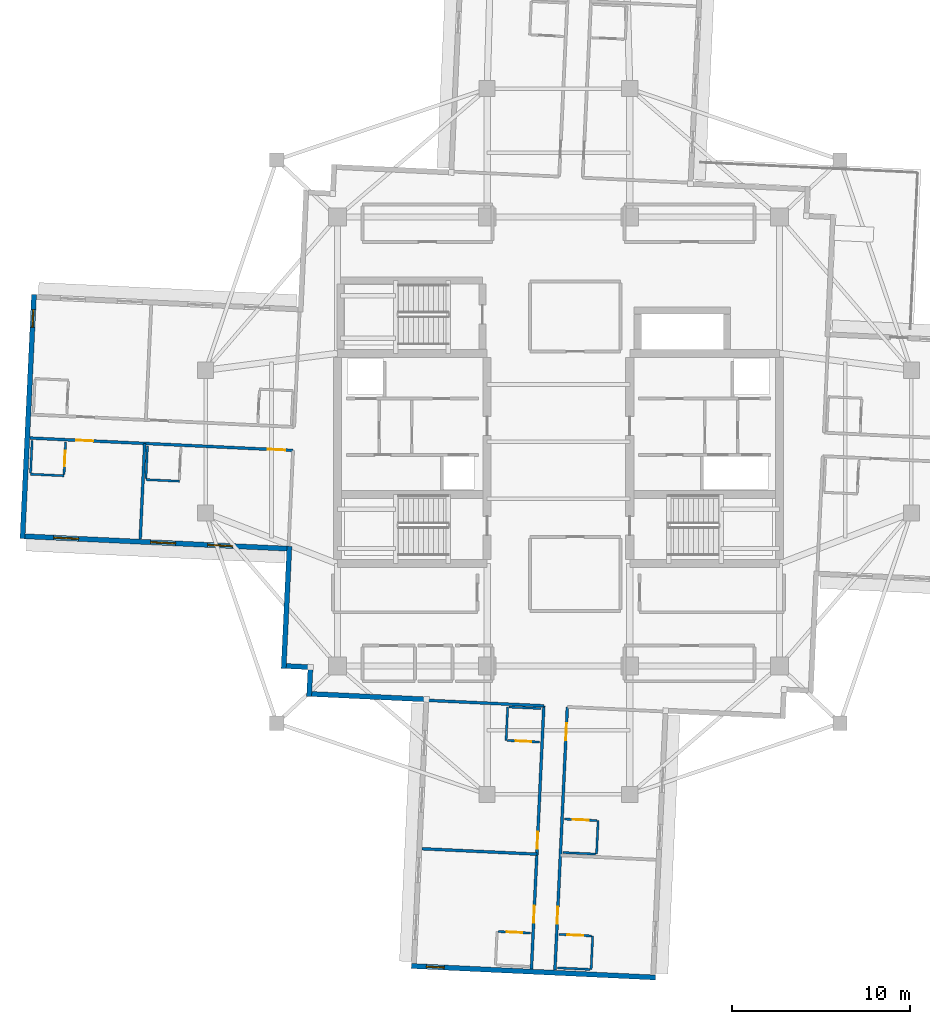
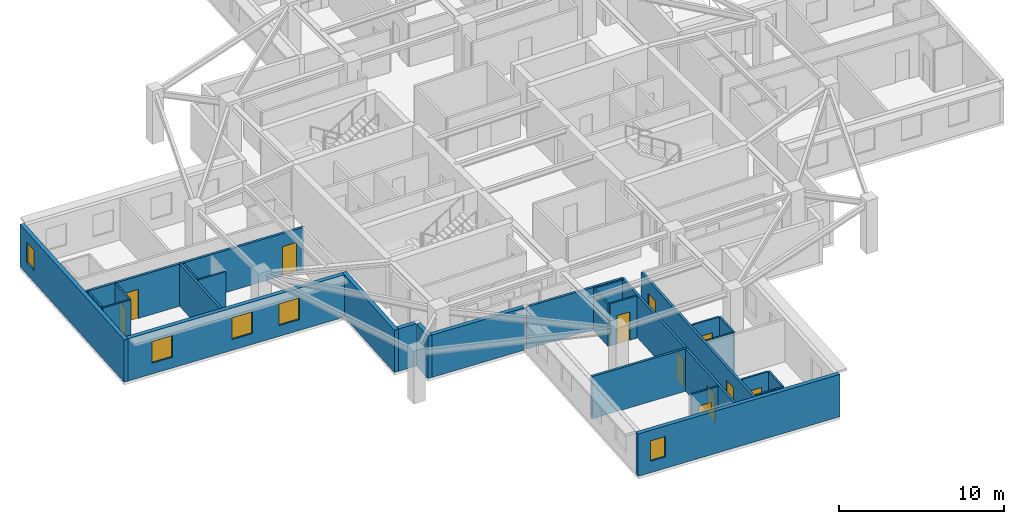
# One storey, part 3 of 13: 28 walls, 11 doors, 5 windows, 16 openings.
"""IFC4 building model written with IfcOpenShell, lengths in metres."""

from ifc_helpers import new_model, si_unit, direction, frame, frame_2d, origin, place, context, subcontext, project, spatial, rectangle, extrude, material, layer, layer_set, type_object, element, fill, save


model = new_model("IFC4")

# Units and contexts
model_context = context("Model", 3, precision=1e-05, world=origin(), true_north=direction((0.0, 1.0)))
body_context = subcontext(model_context, "Body", "Model", "MODEL_VIEW")
ifc_project = project(units=[si_unit("LENGTHUNIT", "METRE"), si_unit("AREAUNIT", "SQUARE_METRE"), si_unit("VOLUMEUNIT", "CUBIC_METRE"), si_unit("PLANEANGLEUNIT", "RADIAN"), si_unit("MASSUNIT", "GRAM", prefix="KILO")], contexts=[model_context])

# Site, building, storey
site_placement = place(None, origin())
site = spatial("IfcSite", under=ifc_project, at=site_placement, CompositionType="ELEMENT")
building_placement = place(site_placement, origin())
building = spatial("IfcBuilding", under=site, at=building_placement, Name="Qingluan Cross Belvedere", CompositionType="ELEMENT")
storey_placement = place(building_placement, frame((0.0, 0.0, 236.39990234375)))
storey = spatial("IfcBuildingStorey", under=building, at=storey_placement, Name="L59", CompositionType="ELEMENT", Elevation=236.39990234375)

# Wall, openings, doors
ifc_material_1 = material(Name="Gypsum plasterboard on steel stud acoustic partition", Category="steel")
ifc_layer_1 = layer(ifc_material_1, 0.159912109375, Name="CorridorPartition_160")
ifc_layer_set_1 = layer_set([ifc_layer_1], Name="Gypsum plasterboard on steel stud acoustic partition")
wall_type_1 = type_object("IfcWallType", Name="CorridorPartition_160", PredefinedType="PARTITIONING", material=ifc_layer_set_1)
wall_1_placement = place(storey_placement, frame((-14.889892578125, -0.4990234375, 0.0), z_axis=(0.0, 0.0, 1.0), x_axis=(-0.99889000272, 0.04710374153, 0.0)))
wall_1 = element("IfcWall", 1, at=wall_1_placement, inside=storey, type_object=wall_type_1, Name="Partition L59:W:c1", PredefinedType="PARTITIONING", context=body_context, shape_type="SweptSolid", body=[
    extrude(rectangle(XDim=14.781982421875, YDim=0.159912109375, at=frame_2d((7.39111328125, 0.0))), origin(), (0.0, 0.0, 1.0), 3.1201171875),
])
opening_1_placement = place(wall_1_placement, frame((0.449951171875, 0.0, 0.0)))
opening_1 = element("IfcOpeningElement", 2, at=opening_1_placement, cuts=wall_1, Name="Opening GD-10", PredefinedType="OPENING", context=body_context, shape_type="SweptSolid", body=[
    extrude(rectangle(XDim=0.9599609375, YDim=2.14990234375, at=frame_2d((0.47998046875, 1.074951171875))), frame((0.0, 0.08984375, 0.0), z_axis=(0.0, -1.0, 0.0), x_axis=(1.0, 0.0, 0.0)), (0.0, 0.0, 1.0), 0.179931640625),
])
opening_2_placement = place(wall_1_placement, frame((11.221923828125, 0.0, 0.0)))
opening_2 = element("IfcOpeningElement", 3, at=opening_2_placement, cuts=wall_1, Name="Opening GD-10", PredefinedType="OPENING", context=body_context, shape_type="SweptSolid", body=[
    extrude(rectangle(XDim=0.9599609375, YDim=2.14990234375, at=frame_2d((0.47998046875, 1.074951171875))), frame((0.0, 0.08984375, 0.0), z_axis=(0.0, -1.0, 0.0), x_axis=(1.0, 0.0, 0.0)), (0.0, 0.0, 1.0), 0.179931640625),
])
ifc_material_2 = material(Name="Timber oak fire-rated acoustic guestroom door", Category="wood")
door_type_1 = type_object("IfcDoorType", Name="GuestEntryDoor_FD60", OperationType="NOTDEFINED", PredefinedType="DOOR", material=ifc_material_2)
door_1_placement = place(opening_1_placement, origin())
door_1 = element("IfcDoor", 4, at=door_1_placement, inside=storey, type_object=door_type_1, Name="Guest entry fire door 5907", OperationType="SINGLE_SWING_RIGHT", OverallHeight=2.14990234375, OverallWidth=0.9599609375, PredefinedType="DOOR", context=body_context, shape_type="SweptSolid", body=[
    extrude(rectangle(XDim=0.9599609375, YDim=2.14990234375, at=frame_2d((0.47998046875, 1.074951171875))), frame((0.0, 0.02490234375, 0.0), z_axis=(0.0, -1.0, 0.0), x_axis=(1.0, 0.0, 0.0)), (0.0, 0.0, 1.0), 0.050048828125),
])
fill(opening_1, door_1)
door_2_placement = place(opening_2_placement, origin())
door_2 = element("IfcDoor", 5, at=door_2_placement, inside=storey, type_object=door_type_1, Name="Guest entry fire door 5908", OperationType="SINGLE_SWING_RIGHT", OverallHeight=2.14990234375, OverallWidth=0.9599609375, PredefinedType="DOOR", context=body_context, shape_type="SweptSolid", body=[
    extrude(rectangle(XDim=0.9599609375, YDim=2.14990234375, at=frame_2d((0.47998046875, 1.074951171875))), frame((0.0, 0.02490234375, 0.0), z_axis=(0.0, -1.0, 0.0), x_axis=(1.0, 0.0, 0.0)), (0.0, 0.0, 1.0), 0.050048828125),
])
fill(opening_2, door_2)

# Wall
wall_2_placement = place(storey_placement, frame((-23.2119140625, -0.106689453125, 0.0), z_axis=(0.0, 0.0, 1.0), x_axis=(-0.04708362643, -0.998890951066, 0.0)))
element("IfcWall", 6, at=wall_2_placement, inside=storey, type_object=wall_type_1, Name="Partition L59:W:d1_0", PredefinedType="PARTITIONING", context=body_context, shape_type="SweptSolid", body=[
    extrude(rectangle(XDim=5.371826171875, YDim=0.159912109375, at=frame_2d((2.68603515625, 0.0))), origin(), (0.0, 0.0, 1.0), 3.1201171875),
])

# Wall, openings, doors
wall_3_placement = place(storey_placement, frame((0.4990234375, -14.889892578125, 0.0), z_axis=(0.0, 0.0, 1.0), x_axis=(-0.04710374153, -0.99889000272, 0.0)))
wall_3 = element("IfcWall", 7, at=wall_3_placement, inside=storey, type_object=wall_type_1, Name="Partition L59:S:c0", PredefinedType="PARTITIONING", context=body_context, shape_type="SweptSolid", body=[
    extrude(rectangle(XDim=14.781982421875, YDim=0.159912109375, at=frame_2d((7.39111328125, 0.0))), origin(), (0.0, 0.0, 1.0), 3.1201171875),
])
opening_3_placement = place(wall_3_placement, frame((0.907958984375, 0.0, 0.0)))
opening_3 = element("IfcOpeningElement", 8, at=opening_3_placement, cuts=wall_3, Name="Opening GD-10", PredefinedType="OPENING", context=body_context, shape_type="SweptSolid", body=[
    extrude(rectangle(XDim=0.9599609375, YDim=2.14990234375, at=frame_2d((0.47998046875, 1.074951171875))), frame((0.0, 0.08984375, 0.0), z_axis=(0.0, -1.0, 0.0), x_axis=(1.0, 0.0, 0.0)), (0.0, 0.0, 1.0), 0.179931640625),
])
opening_4_placement = place(wall_3_placement, frame((11.221923828125, 0.0, 0.0)))
opening_4 = element("IfcOpeningElement", 9, at=opening_4_placement, cuts=wall_3, Name="Opening GD-10", PredefinedType="OPENING", context=body_context, shape_type="SweptSolid", body=[
    extrude(rectangle(XDim=0.9599609375, YDim=2.14990234375, at=frame_2d((0.47998046875, 1.074951171875))), frame((0.0, 0.08984375, 0.0), z_axis=(0.0, -1.0, 0.0), x_axis=(1.0, 0.0, 0.0)), (0.0, 0.0, 1.0), 0.179931640625),
])
door_3_placement = place(opening_3_placement, origin())
door_3 = element("IfcDoor", 10, at=door_3_placement, inside=storey, type_object=door_type_1, Name="Guest entry fire door 5913", OperationType="SINGLE_SWING_RIGHT", OverallHeight=2.14990234375, OverallWidth=0.9599609375, PredefinedType="DOOR", context=body_context, shape_type="SweptSolid", body=[
    extrude(rectangle(XDim=0.9599609375, YDim=2.14990234375, at=frame_2d((0.47998046875, 1.074951171875))), frame((0.0, 0.02490234375, 0.0), z_axis=(0.0, -1.0, 0.0), x_axis=(1.0, 0.0, 0.0)), (0.0, 0.0, 1.0), 0.050048828125),
])
fill(opening_3, door_3)
door_4_placement = place(opening_4_placement, origin())
door_4 = element("IfcDoor", 11, at=door_4_placement, inside=storey, type_object=door_type_1, Name="Guest entry fire door 5914", OperationType="SINGLE_SWING_RIGHT", OverallHeight=2.14990234375, OverallWidth=0.9599609375, PredefinedType="DOOR", context=body_context, shape_type="SweptSolid", body=[
    extrude(rectangle(XDim=0.9599609375, YDim=2.14990234375, at=frame_2d((0.47998046875, 1.074951171875))), frame((0.0, 0.02490234375, 0.0), z_axis=(0.0, -1.0, 0.0), x_axis=(1.0, 0.0, 0.0)), (0.0, 0.0, 1.0), 0.050048828125),
])
fill(opening_4, door_4)

wall_4_placement = place(storey_placement, frame((-0.8193359375, -14.827880859375, 0.0), z_axis=(0.0, 0.0, 1.0), x_axis=(-0.04710374153, -0.99889000272, 0.0)))
wall_4 = element("IfcWall", 12, at=wall_4_placement, inside=storey, type_object=wall_type_1, Name="Partition L59:S:c1", PredefinedType="PARTITIONING", context=body_context, shape_type="SweptSolid", body=[
    extrude(rectangle(XDim=14.781982421875, YDim=0.159912109375, at=frame_2d((7.39111328125, 0.0))), origin(), (0.0, 0.0, 1.0), 3.1201171875),
])
opening_5_placement = place(wall_4_placement, frame((7.071044921875, 0.0, 0.0)))
opening_5 = element("IfcOpeningElement", 13, at=opening_5_placement, cuts=wall_4, Name="Opening GD-10", PredefinedType="OPENING", context=body_context, shape_type="SweptSolid", body=[
    extrude(rectangle(XDim=0.9599609375, YDim=2.14990234375, at=frame_2d((0.47998046875, 1.074951171875))), frame((0.0, 0.08984375, 0.0), z_axis=(0.0, -1.0, 0.0), x_axis=(1.0, 0.0, 0.0)), (0.0, 0.0, 1.0), 0.179931640625),
])
opening_6_placement = place(wall_4_placement, frame((11.221923828125, 0.0, 0.0)))
opening_6 = element("IfcOpeningElement", 14, at=opening_6_placement, cuts=wall_4, Name="Opening GD-10", PredefinedType="OPENING", context=body_context, shape_type="SweptSolid", body=[
    extrude(rectangle(XDim=0.9599609375, YDim=2.14990234375, at=frame_2d((0.47998046875, 1.074951171875))), frame((0.0, 0.08984375, 0.0), z_axis=(0.0, -1.0, 0.0), x_axis=(1.0, 0.0, 0.0)), (0.0, 0.0, 1.0), 0.179931640625),
])
door_5_placement = place(opening_5_placement, origin())
door_5 = element("IfcDoor", 15, at=door_5_placement, inside=storey, type_object=door_type_1, Name="Guest entry fire door 5915", OperationType="SINGLE_SWING_RIGHT", OverallHeight=2.14990234375, OverallWidth=0.9599609375, PredefinedType="DOOR", context=body_context, shape_type="SweptSolid", body=[
    extrude(rectangle(XDim=0.9599609375, YDim=2.14990234375, at=frame_2d((0.47998046875, 1.074951171875))), frame((0.0, 0.02490234375, 0.0), z_axis=(0.0, -1.0, 0.0), x_axis=(1.0, 0.0, 0.0)), (0.0, 0.0, 1.0), 0.050048828125),
])
fill(opening_5, door_5)
door_6_placement = place(opening_6_placement, origin())
door_6 = element("IfcDoor", 16, at=door_6_placement, inside=storey, type_object=door_type_1, Name="Guest entry fire door 5916", OperationType="SINGLE_SWING_RIGHT", OverallHeight=2.14990234375, OverallWidth=0.9599609375, PredefinedType="DOOR", context=body_context, shape_type="SweptSolid", body=[
    extrude(rectangle(XDim=0.9599609375, YDim=2.14990234375, at=frame_2d((0.47998046875, 1.074951171875))), frame((0.0, 0.02490234375, 0.0), z_axis=(0.0, -1.0, 0.0), x_axis=(1.0, 0.0, 0.0)), (0.0, 0.0, 1.0), 0.050048828125),
])
fill(opening_6, door_6)

# Walls
wall_5_placement = place(storey_placement, frame((-0.8193359375, -14.827880859375, 0.0), z_axis=(0.0, 0.0, 1.0), x_axis=(-0.998890703856, 0.04708887076, 0.0)))
element("IfcWall", 17, at=wall_5_placement, inside=storey, type_object=wall_type_1, Name="Partition L59:S:s1", PredefinedType="PARTITIONING", context=body_context, shape_type="SweptSolid", body=[
    extrude(rectangle(XDim=6.60009765625, YDim=0.159912109375, at=frame_2d((3.300048828125, 0.0))), origin(), (0.0, 0.0, 1.0), 3.1201171875),
])
wall_6_placement = place(storey_placement, frame((-1.2119140625, -23.149658203125, 0.0), z_axis=(0.0, 0.0, 1.0), x_axis=(-0.998889693482, 0.047110298825, 0.0)))
element("IfcWall", 18, at=wall_6_placement, inside=storey, type_object=wall_type_1, Name="Partition L59:S:d1_0", PredefinedType="PARTITIONING", context=body_context, shape_type="SweptSolid", body=[
    extrude(rectangle(XDim=6.451904296875, YDim=0.159912109375, at=frame_2d((3.22607421875, 0.0))), origin(), (0.0, 0.0, 1.0), 3.1201171875),
])
ifc_material_3 = material(Name="Moisture-resistant gypsum board lining")
ifc_layer_2 = layer(ifc_material_3, 0.1201171875, Name="EnsuiteWetPartition_120")
ifc_layer_set_2 = layer_set([ifc_layer_2], Name="Moisture-resistant gypsum board lining")
wall_type_2 = type_object("IfcWallType", Name="EnsuiteWetPartition_120", PredefinedType="PARTITIONING", material=ifc_layer_set_2)
wall_7_placement = place(storey_placement, frame((-23.144287109375, -2.072021484375, 0.0), z_axis=(0.0, 0.0, 1.0), x_axis=(0.047087116047, 0.998890786574, 0.0)))
element("IfcWall", 19, at=wall_7_placement, inside=storey, type_object=wall_type_2, Name="Partition L59:W:bw1_0", PredefinedType="PARTITIONING", context=body_context, shape_type="SweptSolid", body=[
    extrude(rectangle(XDim=1.81982421875, YDim=0.1201171875, at=frame_2d((0.909912109375, 0.0))), origin(), (0.0, 0.0, 1.0), 3.1201171875),
])
wall_8_placement = place(storey_placement, frame((-21.269287109375, -2.2255859375, 0.0), z_axis=(0.0, 0.0, 1.0), x_axis=(-0.998888607882, 0.047133311408, 0.0)))
element("IfcWall", 20, at=wall_8_placement, inside=storey, type_object=wall_type_2, Name="Partition L59:W:bc1_0", PredefinedType="PARTITIONING", context=body_context, shape_type="SweptSolid", body=[
    extrude(rectangle(XDim=1.88037109375, YDim=0.1201171875, at=frame_2d((0.940185546875, 0.0))), origin(), (0.0, 0.0, 1.0), 3.1201171875),
])

# Wall, opening, door
wall_9_placement = place(storey_placement, frame((-27.73828125, -1.85546875, 0.0), z_axis=(0.0, 0.0, 1.0), x_axis=(0.047080807099, 0.998891083954, 0.0)))
wall_9 = element("IfcWall", 21, at=wall_9_placement, inside=storey, type_object=wall_type_2, Name="Partition L59:W:bs1_1", PredefinedType="PARTITIONING", context=body_context, shape_type="SweptSolid", body=[
    extrude(rectangle(XDim=1.820068359375, YDim=0.1201171875, at=frame_2d((0.91015625, 0.0))), origin(), (0.0, 0.0, 1.0), 3.1201171875),
])
opening_7_placement = place(wall_9_placement, frame((0.469970703125, 0.0, 0.0)))
opening_7 = element("IfcOpeningElement", 22, at=opening_7_placement, cuts=wall_9, Name="Opening BD-09", PredefinedType="OPENING", context=body_context, shape_type="SweptSolid", body=[
    extrude(rectangle(XDim=0.8798828125, YDim=2.10009765625, at=frame_2d((0.43994140625, 1.050048828125))), frame((0.0, 0.070068359375, 0.0), z_axis=(0.0, -1.0, 0.0), x_axis=(1.0, 0.0, 0.0)), (0.0, 0.0, 1.0), 0.14013671875),
])
ifc_material_4 = material(Name="Moisture-sealed timber en-suite door", Category="wood")
door_type_2 = type_object("IfcDoorType", Name="BathroomDoor_880", OperationType="NOTDEFINED", PredefinedType="DOOR", material=ifc_material_4)
door_7_placement = place(opening_7_placement, origin())
door_7 = element("IfcDoor", 23, at=door_7_placement, inside=storey, type_object=door_type_2, Name="Bathroom door 5908", OperationType="SINGLE_SWING_LEFT", OverallHeight=2.10009765625, OverallWidth=0.8798828125, PredefinedType="DOOR", context=body_context, shape_type="SweptSolid", body=[
    extrude(rectangle(XDim=0.8798828125, YDim=2.10009765625, at=frame_2d((0.43994140625, 1.050048828125))), frame((0.0, 0.02490234375, 0.0), z_axis=(0.0, -1.0, 0.0), x_axis=(1.0, 0.0, 0.0)), (0.0, 0.0, 1.0), 0.050048828125),
])
fill(opening_7, door_7)

# Walls
wall_10_placement = place(storey_placement, frame((-29.6162109375, -1.766845703125, 0.0), z_axis=(0.0, 0.0, 1.0), x_axis=(0.047087116047, 0.998890786574, 0.0)))
element("IfcWall", 24, at=wall_10_placement, inside=storey, type_object=wall_type_2, Name="Partition L59:W:bw1_1", PredefinedType="PARTITIONING", context=body_context, shape_type="SweptSolid", body=[
    extrude(rectangle(XDim=1.81982421875, YDim=0.1201171875, at=frame_2d((0.909912109375, 0.0))), origin(), (0.0, 0.0, 1.0), 3.1201171875),
])
wall_11_placement = place(storey_placement, frame((-27.7412109375, -1.92041015625, 0.0), z_axis=(0.0, 0.0, 1.0), x_axis=(-0.998888319371, 0.047139425368, 0.0)))
element("IfcWall", 25, at=wall_11_placement, inside=storey, type_object=wall_type_2, Name="Partition L59:W:bc1_1", PredefinedType="PARTITIONING", context=body_context, shape_type="SweptSolid", body=[
    extrude(rectangle(XDim=1.880126953125, YDim=0.1201171875, at=frame_2d((0.93994140625, 0.0))), origin(), (0.0, 0.0, 1.0), 3.1201171875),
])

# Wall, opening, door
wall_12_placement = place(storey_placement, frame((0.342529296875, -21.1806640625, 0.0), z_axis=(0.0, 0.0, 1.0), x_axis=(0.998891083954, -0.047080807099, 0.0)))
wall_12 = element("IfcWall", 26, at=wall_12_placement, inside=storey, type_object=wall_type_2, Name="Partition L59:S:bs0_0", PredefinedType="PARTITIONING", context=body_context, shape_type="SweptSolid", body=[
    extrude(rectangle(XDim=1.820068359375, YDim=0.1201171875, at=frame_2d((0.91015625, 0.0))), origin(), (0.0, 0.0, 1.0), 3.1201171875),
])
opening_8_placement = place(wall_12_placement, frame((0.469970703125, 0.0, 0.0)))
opening_8 = element("IfcOpeningElement", 27, at=opening_8_placement, cuts=wall_12, Name="Opening BD-09", PredefinedType="OPENING", context=body_context, shape_type="SweptSolid", body=[
    extrude(rectangle(XDim=0.8798828125, YDim=2.10009765625, at=frame_2d((0.43994140625, 1.050048828125))), frame((0.0, 0.070068359375, 0.0), z_axis=(0.0, -1.0, 0.0), x_axis=(1.0, 0.0, 0.0)), (0.0, 0.0, 1.0), 0.14013671875),
])
door_8_placement = place(opening_8_placement, origin())
door_8 = element("IfcDoor", 28, at=door_8_placement, inside=storey, type_object=door_type_2, Name="Bathroom door 5913", OperationType="SINGLE_SWING_LEFT", OverallHeight=2.10009765625, OverallWidth=0.8798828125, PredefinedType="DOOR", context=body_context, shape_type="SweptSolid", body=[
    extrude(rectangle(XDim=0.8798828125, YDim=2.10009765625, at=frame_2d((0.43994140625, 1.050048828125))), frame((0.0, 0.02490234375, 0.0), z_axis=(0.0, -1.0, 0.0), x_axis=(1.0, 0.0, 0.0)), (0.0, 0.0, 1.0), 0.050048828125),
])
fill(opening_8, door_8)

# Walls
wall_13_placement = place(storey_placement, frame((0.254150390625, -23.05859375, 0.0), z_axis=(0.0, 0.0, 1.0), x_axis=(0.998890786574, -0.047087116047, 0.0)))
element("IfcWall", 29, at=wall_13_placement, inside=storey, type_object=wall_type_2, Name="Partition L59:S:bw0_0", PredefinedType="PARTITIONING", context=body_context, shape_type="SweptSolid", body=[
    extrude(rectangle(XDim=1.81982421875, YDim=0.1201171875, at=frame_2d((0.909912109375, 0.0))), origin(), (0.0, 0.0, 1.0), 3.1201171875),
])
wall_14_placement = place(storey_placement, frame((2.2255859375, -21.269287109375, 0.0), z_axis=(0.0, 0.0, 1.0), x_axis=(-0.047133311408, -0.998888607882, 0.0)))
element("IfcWall", 30, at=wall_14_placement, inside=storey, type_object=wall_type_2, Name="Partition L59:S:bn0_0", PredefinedType="PARTITIONING", context=body_context, shape_type="SweptSolid", body=[
    extrude(rectangle(XDim=1.88037109375, YDim=0.1201171875, at=frame_2d((0.940185546875, 0.0))), origin(), (0.0, 0.0, 1.0), 3.1201171875),
])

# Wall, opening, door
wall_15_placement = place(storey_placement, frame((0.037353515625, -27.652587890625, 0.0), z_axis=(0.0, 0.0, 1.0), x_axis=(0.998891083954, -0.047080807099, 0.0)))
wall_15 = element("IfcWall", 31, at=wall_15_placement, inside=storey, type_object=wall_type_2, Name="Partition L59:S:bs0_1", PredefinedType="PARTITIONING", context=body_context, shape_type="SweptSolid", body=[
    extrude(rectangle(XDim=1.820068359375, YDim=0.1201171875, at=frame_2d((0.91015625, 0.0))), origin(), (0.0, 0.0, 1.0), 3.1201171875),
])
opening_9_placement = place(wall_15_placement, frame((0.469970703125, 0.0, 0.0)))
opening_9 = element("IfcOpeningElement", 32, at=opening_9_placement, cuts=wall_15, Name="Opening BD-09", PredefinedType="OPENING", context=body_context, shape_type="SweptSolid", body=[
    extrude(rectangle(XDim=0.8798828125, YDim=2.10009765625, at=frame_2d((0.43994140625, 1.050048828125))), frame((0.0, 0.070068359375, 0.0), z_axis=(0.0, -1.0, 0.0), x_axis=(1.0, 0.0, 0.0)), (0.0, 0.0, 1.0), 0.14013671875),
])
door_9_placement = place(opening_9_placement, origin())
door_9 = element("IfcDoor", 33, at=door_9_placement, inside=storey, type_object=door_type_2, Name="Bathroom door 5914", OperationType="SINGLE_SWING_LEFT", OverallHeight=2.10009765625, OverallWidth=0.8798828125, PredefinedType="DOOR", context=body_context, shape_type="SweptSolid", body=[
    extrude(rectangle(XDim=0.8798828125, YDim=2.10009765625, at=frame_2d((0.43994140625, 1.050048828125))), frame((0.0, 0.02490234375, 0.0), z_axis=(0.0, -1.0, 0.0), x_axis=(1.0, 0.0, 0.0)), (0.0, 0.0, 1.0), 0.050048828125),
])
fill(opening_9, door_9)

# Walls
wall_16_placement = place(storey_placement, frame((-0.051025390625, -29.530517578125, 0.0), z_axis=(0.0, 0.0, 1.0), x_axis=(0.998890786574, -0.047087116047, 0.0)))
element("IfcWall", 34, at=wall_16_placement, inside=storey, type_object=wall_type_2, Name="Partition L59:S:bw0_1", PredefinedType="PARTITIONING", context=body_context, shape_type="SweptSolid", body=[
    extrude(rectangle(XDim=1.81982421875, YDim=0.1201171875, at=frame_2d((0.909912109375, 0.0))), origin(), (0.0, 0.0, 1.0), 3.1201171875),
])
wall_17_placement = place(storey_placement, frame((1.92041015625, -27.7412109375, 0.0), z_axis=(0.0, 0.0, 1.0), x_axis=(-0.047139425368, -0.998888319371, 0.0)))
element("IfcWall", 35, at=wall_17_placement, inside=storey, type_object=wall_type_2, Name="Partition L59:S:bn0_1", PredefinedType="PARTITIONING", context=body_context, shape_type="SweptSolid", body=[
    extrude(rectangle(XDim=1.880126953125, YDim=0.1201171875, at=frame_2d((0.93994140625, 0.0))), origin(), (0.0, 0.0, 1.0), 3.1201171875),
])

# Wall, opening, door
wall_18_placement = place(storey_placement, frame((-2.873291015625, -16.773193359375, 0.0), z_axis=(0.0, 0.0, 1.0), x_axis=(0.998890786574, -0.047087116047, 0.0)))
wall_18 = element("IfcWall", 36, at=wall_18_placement, inside=storey, type_object=wall_type_2, Name="Partition L59:S:bs1_0", PredefinedType="PARTITIONING", context=body_context, shape_type="SweptSolid", body=[
    extrude(rectangle(XDim=1.81982421875, YDim=0.1201171875, at=frame_2d((0.909912109375, 0.0))), origin(), (0.0, 0.0, 1.0), 3.1201171875),
])
opening_10_placement = place(wall_18_placement, frame((0.469970703125, 0.0, 0.0)))
opening_10 = element("IfcOpeningElement", 37, at=opening_10_placement, cuts=wall_18, Name="Opening BD-09", PredefinedType="OPENING", context=body_context, shape_type="SweptSolid", body=[
    extrude(rectangle(XDim=0.8798828125, YDim=2.10009765625, at=frame_2d((0.43994140625, 1.050048828125))), frame((0.0, 0.070068359375, 0.0), z_axis=(0.0, -1.0, 0.0), x_axis=(1.0, 0.0, 0.0)), (0.0, 0.0, 1.0), 0.14013671875),
])
door_10_placement = place(opening_10_placement, origin())
door_10 = element("IfcDoor", 38, at=door_10_placement, inside=storey, type_object=door_type_2, Name="Bathroom door 5915", OperationType="SINGLE_SWING_LEFT", OverallHeight=2.10009765625, OverallWidth=0.8798828125, PredefinedType="DOOR", context=body_context, shape_type="SweptSolid", body=[
    extrude(rectangle(XDim=0.8798828125, YDim=2.10009765625, at=frame_2d((0.43994140625, 1.050048828125))), frame((0.0, 0.02490234375, 0.0), z_axis=(0.0, -1.0, 0.0), x_axis=(1.0, 0.0, 0.0)), (0.0, 0.0, 1.0), 0.050048828125),
])
fill(opening_10, door_10)

# Walls
wall_19_placement = place(storey_placement, frame((-2.784912109375, -14.8955078125, 0.0), z_axis=(0.0, 0.0, 1.0), x_axis=(0.998891083954, -0.047080807099, 0.0)))
element("IfcWall", 39, at=wall_19_placement, inside=storey, type_object=wall_type_2, Name="Partition L59:S:bw1_0", PredefinedType="PARTITIONING", context=body_context, shape_type="SweptSolid", body=[
    extrude(rectangle(XDim=1.820068359375, YDim=0.1201171875, at=frame_2d((0.91015625, 0.0))), origin(), (0.0, 0.0, 1.0), 3.1201171875),
])
wall_20_placement = place(storey_placement, frame((-2.849609375, -14.892333984375, 0.0), z_axis=(0.0, 0.0, 1.0), x_axis=(-0.047139425368, -0.998888319371, 0.0)))
element("IfcWall", 40, at=wall_20_placement, inside=storey, type_object=wall_type_2, Name="Partition L59:S:bc1_0", PredefinedType="PARTITIONING", context=body_context, shape_type="SweptSolid", body=[
    extrude(rectangle(XDim=1.880126953125, YDim=0.1201171875, at=frame_2d((0.93994140625, 0.0))), origin(), (0.0, 0.0, 1.0), 3.1201171875),
])

# Wall, opening, door
wall_21_placement = place(storey_placement, frame((-3.37890625, -27.491455078125, 0.0), z_axis=(0.0, 0.0, 1.0), x_axis=(0.998891083954, -0.047080807099, 0.0)))
wall_21 = element("IfcWall", 41, at=wall_21_placement, inside=storey, type_object=wall_type_2, Name="Partition L59:S:bs1_1", PredefinedType="PARTITIONING", context=body_context, shape_type="SweptSolid", body=[
    extrude(rectangle(XDim=1.820068359375, YDim=0.1201171875, at=frame_2d((0.91015625, 0.0))), origin(), (0.0, 0.0, 1.0), 3.1201171875),
])
opening_11_placement = place(wall_21_placement, frame((0.469970703125, 0.0, 0.0)))
opening_11 = element("IfcOpeningElement", 42, at=opening_11_placement, cuts=wall_21, Name="Opening BD-09", PredefinedType="OPENING", context=body_context, shape_type="SweptSolid", body=[
    extrude(rectangle(XDim=0.8798828125, YDim=2.10009765625, at=frame_2d((0.43994140625, 1.050048828125))), frame((0.0, 0.070068359375, 0.0), z_axis=(0.0, -1.0, 0.0), x_axis=(1.0, 0.0, 0.0)), (0.0, 0.0, 1.0), 0.14013671875),
])
door_11_placement = place(opening_11_placement, origin())
door_11 = element("IfcDoor", 43, at=door_11_placement, inside=storey, type_object=door_type_2, Name="Bathroom door 5916", OperationType="SINGLE_SWING_LEFT", OverallHeight=2.10009765625, OverallWidth=0.8798828125, PredefinedType="DOOR", context=body_context, shape_type="SweptSolid", body=[
    extrude(rectangle(XDim=0.8798828125, YDim=2.10009765625, at=frame_2d((0.43994140625, 1.050048828125))), frame((0.0, 0.02490234375, 0.0), z_axis=(0.0, -1.0, 0.0), x_axis=(1.0, 0.0, 0.0)), (0.0, 0.0, 1.0), 0.050048828125),
])
fill(opening_11, door_11)

# Wall, openings, windows
ifc_material_5 = material(Name="Precast concrete C45", Category="concrete")
ifc_layer_3 = layer(ifc_material_5, 0.280029296875, Name="PrecastFacadeWall_280")
ifc_layer_set_3 = layer_set([ifc_layer_3], Name="Precast concrete C45")
wall_type_3 = type_object("IfcWallType", Name="PrecastFacadeWall_280", PredefinedType="STANDARD", material=ifc_layer_set_3)
wall_22_placement = place(storey_placement, frame((-29.923583984375, -5.31640625, 0.0), z_axis=(0.0, 0.0, 1.0), x_axis=(0.998890124275, -0.047101163748, 0.0)))
wall_22 = element("IfcWall", 44, at=wall_22_placement, inside=storey, type_object=wall_type_3, Name="Facade wall L59-WB", PredefinedType="STANDARD", context=body_context, shape_type="SweptSolid", body=[
    extrude(rectangle(XDim=14.699951171875, YDim=0.280029296875, at=frame_2d((7.35009765625, 0.0))), origin(), (0.0, 0.0, 1.0), 3.130126953125),
])
opening_12_placement = place(wall_22_placement, frame((1.60009765625, 0.0, 0.800048828125)))
opening_12 = element("IfcOpeningElement", 45, at=opening_12_placement, cuts=wall_22, Name="Opening W-01", PredefinedType="OPENING", context=body_context, shape_type="SweptSolid", body=[
    extrude(rectangle(XDim=1.39990234375, YDim=1.60009765625, at=frame_2d((0.699951171875, 0.800048828125))), frame((0.0, 0.14990234375, 0.0), z_axis=(0.0, -1.0, 0.0), x_axis=(1.0, 0.0, 0.0)), (0.0, 0.0, 1.0), 0.300048828125),
])
opening_13_placement = place(wall_22_placement, frame((7.050048828125, 0.0, 0.800048828125)))
opening_13 = element("IfcOpeningElement", 46, at=opening_13_placement, cuts=wall_22, Name="Opening W-01", PredefinedType="OPENING", context=body_context, shape_type="SweptSolid", body=[
    extrude(rectangle(XDim=1.39990234375, YDim=1.60009765625, at=frame_2d((0.699951171875, 0.800048828125))), frame((0.0, 0.14990234375, 0.0), z_axis=(0.0, -1.0, 0.0), x_axis=(1.0, 0.0, 0.0)), (0.0, 0.0, 1.0), 0.300048828125),
])
opening_14_placement = place(wall_22_placement, frame((10.25, 0.0, 0.800048828125)))
opening_14 = element("IfcOpeningElement", 47, at=opening_14_placement, cuts=wall_22, Name="Opening W-01", PredefinedType="OPENING", context=body_context, shape_type="SweptSolid", body=[
    extrude(rectangle(XDim=1.39990234375, YDim=1.60009765625, at=frame_2d((0.699951171875, 0.800048828125))), frame((0.0, 0.14990234375, 0.0), z_axis=(0.0, -1.0, 0.0), x_axis=(1.0, 0.0, 0.0)), (0.0, 0.0, 1.0), 0.300048828125),
])
ifc_material_6 = material(Name="Thermally broken triple Low-E glass in aluminium frame", Category="aluminium")
window_type_1 = type_object("IfcWindowType", Name="TriRibbonWin_1400x1600", PartitioningType="SINGLE_PANEL", PredefinedType="WINDOW", material=ifc_material_6)
window_1_placement = place(opening_12_placement, origin())
window_1 = element("IfcWindow", 48, at=window_1_placement, inside=storey, type_object=window_type_1, Name="Ribbon window L59-WB-1", OverallHeight=1.60009765625, OverallWidth=1.39990234375, PartitioningType="SINGLE_PANEL", PredefinedType="WINDOW", context=body_context, shape_type="SweptSolid", body=[
    extrude(rectangle(XDim=1.39990234375, YDim=1.60009765625, at=frame_2d((0.699951171875, 0.800048828125))), frame((0.0, 0.030029296875, 0.0), z_axis=(0.0, -1.0, 0.0), x_axis=(1.0, 0.0, 0.0)), (0.0, 0.0, 1.0), 0.06005859375),
])
fill(opening_12, window_1)
window_2_placement = place(opening_13_placement, origin())
window_2 = element("IfcWindow", 49, at=window_2_placement, inside=storey, type_object=window_type_1, Name="Ribbon window L59-WB-2", OverallHeight=1.60009765625, OverallWidth=1.39990234375, PartitioningType="SINGLE_PANEL", PredefinedType="WINDOW", context=body_context, shape_type="SweptSolid", body=[
    extrude(rectangle(XDim=1.39990234375, YDim=1.60009765625, at=frame_2d((0.699951171875, 0.800048828125))), frame((0.0, 0.030029296875, 0.0), z_axis=(0.0, -1.0, 0.0), x_axis=(1.0, 0.0, 0.0)), (0.0, 0.0, 1.0), 0.06005859375),
])
fill(opening_13, window_2)
window_3_placement = place(opening_14_placement, origin())
window_3 = element("IfcWindow", 50, at=window_3_placement, inside=storey, type_object=window_type_1, Name="Ribbon window L59-WB-3", OverallHeight=1.60009765625, OverallWidth=1.39990234375, PartitioningType="SINGLE_PANEL", PredefinedType="WINDOW", context=body_context, shape_type="SweptSolid", body=[
    extrude(rectangle(XDim=1.39990234375, YDim=1.60009765625, at=frame_2d((0.699951171875, 0.800048828125))), frame((0.0, 0.030029296875, 0.0), z_axis=(0.0, -1.0, 0.0), x_axis=(1.0, 0.0, 0.0)), (0.0, 0.0, 1.0), 0.06005859375),
])
fill(opening_14, window_3)

# Wall, opening, window
wall_23_placement = place(storey_placement, frame((-29.423828125, 8.255126953125, 0.0), z_axis=(0.0, 0.0, 1.0), x_axis=(-0.047101845086, -0.998890092147, 0.0)))
wall_23 = element("IfcWall", 51, at=wall_23_placement, inside=storey, type_object=wall_type_3, Name="Arm tip precast facade wall L59-W", PredefinedType="STANDARD", context=body_context, shape_type="SweptSolid", body=[
    extrude(rectangle(XDim=13.719970703125, YDim=0.280029296875, at=frame_2d((6.85986328125, 0.0))), origin(), (0.0, 0.0, 1.0), 3.130126953125),
])
opening_15_placement = place(wall_23_placement, frame((0.85009765625, 0.0, 0.85009765625)))
opening_15 = element("IfcOpeningElement", 52, at=opening_15_placement, cuts=wall_23, Name="Opening W-03", PredefinedType="OPENING", context=body_context, shape_type="SweptSolid", body=[
    extrude(rectangle(XDim=1.0, YDim=1.5, at=frame_2d((0.5, 0.75))), frame((0.0, 0.14990234375, 0.0), z_axis=(0.0, -1.0, 0.0), x_axis=(1.0, 0.0, 0.0)), (0.0, 0.0, 1.0), 0.300048828125),
])
ifc_material_7 = material(Name="Thermally broken triple Low-E glass in aluminium frame", Category="aluminium")
window_type_2 = type_object("IfcWindowType", Name="TriApexWin_1000x1500", PartitioningType="SINGLE_PANEL", PredefinedType="WINDOW", material=ifc_material_7)
window_4_placement = place(opening_15_placement, origin())
window_4 = element("IfcWindow", 53, at=window_4_placement, inside=storey, type_object=window_type_2, Name="Arm tip triangular window L59-W", OverallHeight=1.5, OverallWidth=1.0, PartitioningType="SINGLE_PANEL", PredefinedType="WINDOW", context=body_context, shape_type="SweptSolid", body=[
    extrude(rectangle(XDim=1.0, YDim=1.5, at=frame_2d((0.5, 0.75))), frame((0.0, 0.030029296875, 0.0), z_axis=(0.0, -1.0, 0.0), x_axis=(1.0, 0.0, 0.0)), (0.0, 0.0, 1.0), 0.06005859375),
])
fill(opening_15, window_4)

wall_24_placement = place(storey_placement, frame((-8.255126953125, -29.423828125, 0.0), z_axis=(0.0, 0.0, 1.0), x_axis=(0.998890092147, -0.047101845086, 0.0)))
wall_24 = element("IfcWall", 54, at=wall_24_placement, inside=storey, type_object=wall_type_3, Name="Arm tip precast facade wall L59-S", PredefinedType="STANDARD", context=body_context, shape_type="SweptSolid", body=[
    extrude(rectangle(XDim=13.719970703125, YDim=0.280029296875, at=frame_2d((6.85986328125, 0.0))), origin(), (0.0, 0.0, 1.0), 3.130126953125),
])
opening_16_placement = place(wall_24_placement, frame((0.85009765625, 0.0, 0.85009765625)))
opening_16 = element("IfcOpeningElement", 55, at=opening_16_placement, cuts=wall_24, Name="Opening W-03", PredefinedType="OPENING", context=body_context, shape_type="SweptSolid", body=[
    extrude(rectangle(XDim=1.0, YDim=1.5, at=frame_2d((0.5, 0.75))), frame((0.0, 0.14990234375, 0.0), z_axis=(0.0, -1.0, 0.0), x_axis=(1.0, 0.0, 0.0)), (0.0, 0.0, 1.0), 0.300048828125),
])
window_5_placement = place(opening_16_placement, origin())
window_5 = element("IfcWindow", 56, at=window_5_placement, inside=storey, type_object=window_type_2, Name="Arm tip triangular window L59-S", OverallHeight=1.5, OverallWidth=1.0, PartitioningType="SINGLE_PANEL", PredefinedType="WINDOW", context=body_context, shape_type="SweptSolid", body=[
    extrude(rectangle(XDim=1.0, YDim=1.5, at=frame_2d((0.5, 0.75))), frame((0.0, 0.030029296875, 0.0), z_axis=(0.0, -1.0, 0.0), x_axis=(1.0, 0.0, 0.0)), (0.0, 0.0, 1.0), 0.06005859375),
])
fill(opening_16, window_5)

# Walls
wall_25_placement = place(storey_placement, frame((-15.093505859375, -5.87548828125, 0.0), z_axis=(0.0, 0.0, 1.0), x_axis=(-0.04712043756, -0.998889215261, 0.0)))
element("IfcWall", 57, at=wall_25_placement, inside=storey, type_object=wall_type_3, Name="Corner wall L59-SW1", PredefinedType="STANDARD", context=body_context, shape_type="SweptSolid", body=[
    extrude(rectangle(XDim=6.85986328125, YDim=0.280029296875, at=frame_2d((3.429931640625, 0.0))), origin(), (0.0, 0.0, 1.0), 3.130126953125),
])
wall_26_placement = place(storey_placement, frame((-15.270263671875, -12.5947265625, 0.0), z_axis=(0.0, 0.0, 1.0), x_axis=(0.998893795343, -0.047023245574, 0.0)))
element("IfcWall", 58, at=wall_26_placement, inside=storey, type_object=wall_type_3, Name="Corner wall L59-SW2", PredefinedType="STANDARD", context=body_context, shape_type="SweptSolid", body=[
    extrude(rectangle(XDim=1.22021484375, YDim=0.280029296875, at=frame_2d((0.610107421875, 0.0))), origin(), (0.0, 0.0, 1.0), 3.130126953125),
])
wall_27_placement = place(storey_placement, frame((-13.918212890625, -12.798583984375, 0.0), z_axis=(0.0, 0.0, 1.0), x_axis=(-0.047201688113, -0.99888537913, 0.0)))
element("IfcWall", 59, at=wall_27_placement, inside=storey, type_object=wall_type_3, Name="Corner wall L59-SW3", PredefinedType="STANDARD", context=body_context, shape_type="SweptSolid", body=[
    extrude(rectangle(XDim=1.5, YDim=0.280029296875, at=frame_2d((0.75, 0.0))), origin(), (0.0, 0.0, 1.0), 3.130126953125),
])
wall_28_placement = place(storey_placement, frame((-13.842529296875, -14.16357421875, 0.0), z_axis=(0.0, 0.0, 1.0), x_axis=(0.998889082162, -0.047123258997, 0.0)))
element("IfcWall", 60, at=wall_28_placement, inside=storey, type_object=wall_type_3, Name="Corner wall L59-SW4", PredefinedType="STANDARD", context=body_context, shape_type="SweptSolid", body=[
    extrude(rectangle(XDim=6.300048828125, YDim=0.280029296875, at=frame_2d((3.14990234375, 0.0))), origin(), (0.0, 0.0, 1.0), 3.130126953125),
])

save(model, "model.ifc")
